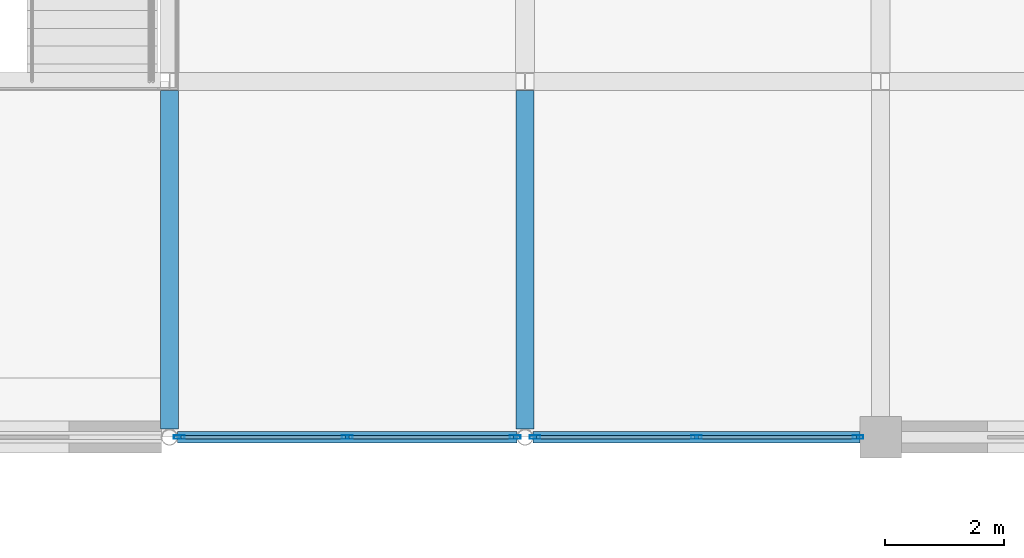
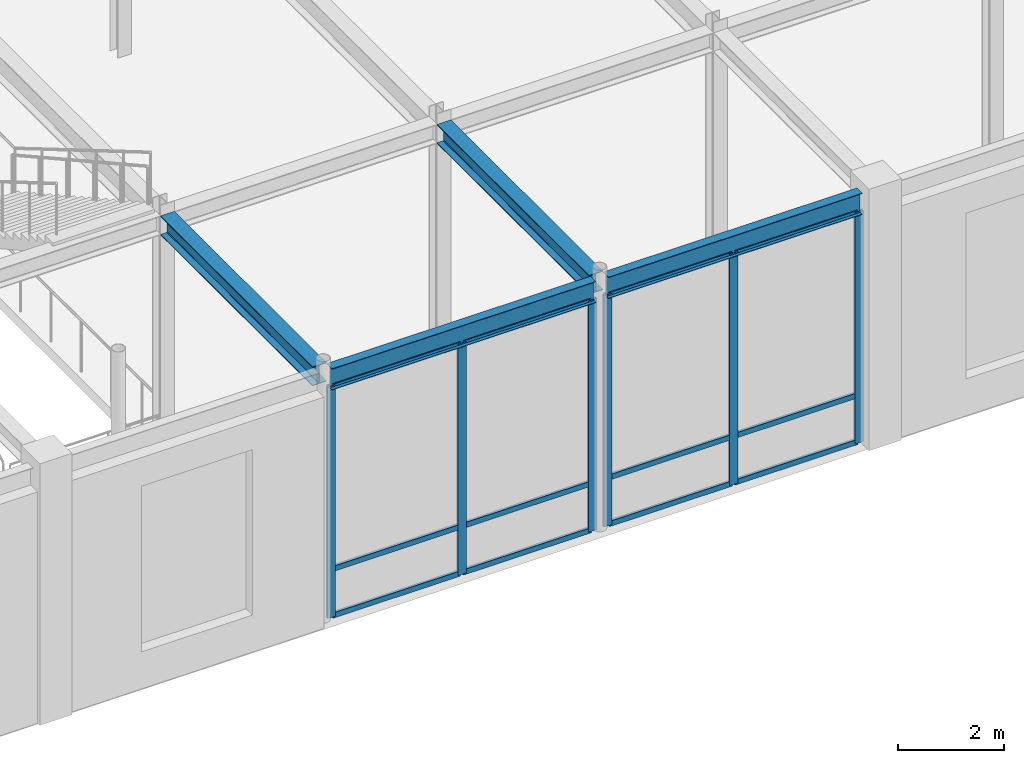
# One storey, part 56 of 108: 18 members, 4 beams, 2 elements without a shape of their own.
"""IFC4 building model written with IfcOpenShell, lengths in metres."""

from ifc_helpers import new_model, si_unit, direction, frame, origin, origin_2d, place, context, subcontext, project, spatial, hollow_rectangle, i_section, extrude, material, layer, layer_set, material_profile, profile_set, type_object, element, aggregate, save


model = new_model("IFC4")

# Units and contexts
model_context = context("Model", 3, precision=1e-05, world=origin(), true_north=direction((0.0, 1.0)))
body_context = subcontext(model_context, "Body", "Model", "MODEL_VIEW")
ifc_project = project(units=[si_unit("LENGTHUNIT", "METRE"), si_unit("AREAUNIT", "SQUARE_METRE"), si_unit("VOLUMEUNIT", "CUBIC_METRE"), si_unit("PLANEANGLEUNIT", "RADIAN"), si_unit("MASSUNIT", "GRAM", prefix="KILO")], contexts=[model_context])

# Site, building, storey
site_placement = place(None, origin())
site = spatial("IfcSite", under=ifc_project, at=site_placement, CompositionType="ELEMENT")
building_placement = place(site_placement, origin())
building = spatial("IfcBuilding", under=site, at=building_placement, Name="Zlatovratsky Civic Hall", CompositionType="ELEMENT")
storey_placement = place(building_placement, frame((0.0, 0.0, 6.0)))
storey = spatial("IfcBuildingStorey", under=building, at=storey_placement, Name="L02", CompositionType="ELEMENT", Elevation=6.0)

# Beams
ifc_material_1 = material(Name="Steel S355", Category="steel")
ifc_material_profile_1 = material_profile(ifc_material_1, i_section(OverallWidth=0.198974609375, OverallDepth=0.491943359375, WebThickness=0.0087890625, FlangeThickness=0.011962890625, FilletRadius=0.01611328125, at=origin_2d()), Name="50B1")
ifc_profile_set_1 = profile_set([ifc_material_profile_1], Name="Steel S355")
beam_type_1 = type_object("IfcBeamType", Name="Beam_Spandrel_50B1", PredefinedType="SPANDREL", material=ifc_profile_set_1)
beam_1_placement = place(storey_placement, frame((96.136474609375, 12.0, 5.513916015625), z_axis=(1.0, 0.0, 0.0), x_axis=(0.0, 1.0, 0.0)))
element("IfcBeam", 1, at=beam_1_placement, inside=storey, type_object=beam_type_1, Name="BM-1752", PredefinedType="SPANDREL", context=body_context, shape_type="SweptSolid", body=[
    extrude(i_section(OverallWidth=0.198974609375, OverallDepth=0.491943359375, WebThickness=0.0087890625, FlangeThickness=0.011962890625, FilletRadius=0.01611328125, at=origin_2d()), origin(), (0.0, 0.0, 1.0), 5.72705078125),
])
beam_2_placement = place(storey_placement, frame((102.136474609375, 12.0, 5.513916015625), z_axis=(1.0, 0.0, 0.0), x_axis=(0.0, 1.0, 0.0)))
element("IfcBeam", 2, at=beam_2_placement, inside=storey, type_object=beam_type_1, Name="BM-1753", PredefinedType="SPANDREL", context=body_context, shape_type="SweptSolid", body=[
    extrude(i_section(OverallWidth=0.198974609375, OverallDepth=0.491943359375, WebThickness=0.0087890625, FlangeThickness=0.011962890625, FilletRadius=0.01611328125, at=origin_2d()), origin(), (0.0, 0.0, 1.0), 5.513427734375),
])
ifc_material_profile_2 = material_profile(ifc_material_1, i_section(OverallWidth=0.300048828125, OverallDepth=0.43994140625, WebThickness=0.010986328125, FlangeThickness=0.01806640625, FilletRadius=0.02197265625, at=origin_2d()), Name="45Sh1")
ifc_profile_set_2 = profile_set([ifc_material_profile_2], Name="Steel S355")
beam_type_2 = type_object("IfcBeamType", Name="Beam_TowerLow_45Sh1", PredefinedType="BEAM", material=ifc_profile_set_2)
for number, where, z_axis, x_axis, name in (
    (3, (96.0, 12.136474609375, 5.5400390625), (0.0, 1.0, 0.0), (-1.0, 0.0, 0.0), "BM-2238"),
    (4, (102.0, 12.136474609375, 5.5400390625), (0.0, 1.0, 0.0), (-1.0, 0.0, 0.0), "BM-2250"),
):
    element("IfcBeam", number, at=place(storey_placement, frame(where, z_axis=z_axis, x_axis=x_axis)), inside=storey, type_object=beam_type_2, Name=name, PredefinedType="BEAM", context=body_context, shape_type="SweptSolid", body=[
        extrude(i_section(OverallWidth=0.300048828125, OverallDepth=0.43994140625, WebThickness=0.010986328125, FlangeThickness=0.01806640625, FilletRadius=0.02197265625, at=origin_2d()), origin(), (0.0, 0.0, 1.0), 5.713623046875),
    ])

# Curtain wall, members
ifc_material_2 = material(Name="Anodised bronze aluminium", Category="aluminium")
ifc_layer_1 = layer(ifc_material_2, 0.159912109375)
ifc_layer_set_1 = layer_set([ifc_layer_1], Name="Anodised bronze aluminium")
curtain_wall_type_1 = type_object("IfcCurtainWallType", Name="CurtainWall_Bronze_5730x5310_03", PredefinedType="NOTDEFINED", material=ifc_layer_set_1)
curtain_wall_1_placement = place(storey_placement, origin())
curtain_wall_1 = element("IfcCurtainWall", 5, at=curtain_wall_1_placement, inside=storey, type_object=curtain_wall_type_1, Name="CW-007", PredefinedType="NOTDEFINED")
ifc_material_profile_3 = material_profile(ifc_material_2, hollow_rectangle(XDim=0.06005859375, YDim=0.179931640625, WallThickness=0.00390625, at=origin_2d()), Name="ALU 60x180x4")
ifc_profile_set_3 = profile_set([ifc_material_profile_3], Name="Anodised bronze aluminium")
member_type_1 = type_object("IfcMemberType", Name="CW_Mullion_60x180", PredefinedType="MULLION", material=ifc_profile_set_3)
member_1_placement = place(storey_placement, frame((96.16650390625, 12.0, 0.0), z_axis=(0.0, 0.0, 1.0), x_axis=(0.0, 1.0, 0.0)))
member_1 = element("IfcMember", 6, at=member_1_placement, type_object=member_type_1, Name="CW-03 mullion 1", PredefinedType="MULLION", context=body_context, shape_type="SweptSolid", body=[
    extrude(hollow_rectangle(XDim=0.06005859375, YDim=0.179931640625, WallThickness=0.00390625, at=origin_2d()), origin(), (0.0, 0.0, 1.0), 5.31005859375),
])
member_2_placement = place(storey_placement, frame((99.0, 12.0, 0.0), z_axis=(0.0, 0.0, 1.0), x_axis=(0.0, 1.0, 0.0)))
member_2 = element("IfcMember", 7, at=member_2_placement, type_object=member_type_1, Name="CW-03 mullion 2", PredefinedType="MULLION", context=body_context, shape_type="SweptSolid", body=[
    extrude(hollow_rectangle(XDim=0.06005859375, YDim=0.179931640625, WallThickness=0.00390625, at=origin_2d()), origin(), (0.0, 0.0, 1.0), 5.31005859375),
])
member_3_placement = place(storey_placement, frame((101.83349609375, 12.0, 0.0), z_axis=(0.0, 0.0, 1.0), x_axis=(0.0, 1.0, 0.0)))
member_3 = element("IfcMember", 8, at=member_3_placement, type_object=member_type_1, Name="CW-03 mullion 3", PredefinedType="MULLION", context=body_context, shape_type="SweptSolid", body=[
    extrude(hollow_rectangle(XDim=0.06005859375, YDim=0.179931640625, WallThickness=0.00390625, at=origin_2d()), origin(), (0.0, 0.0, 1.0), 5.31005859375),
])

ifc_layer_2 = layer(ifc_material_2, 0.159912109375)
ifc_layer_set_2 = layer_set([ifc_layer_2], Name="Anodised bronze aluminium")
curtain_wall_type_2 = type_object("IfcCurtainWallType", Name="CurtainWall_Bronze_5510x5310_01", PredefinedType="NOTDEFINED", material=ifc_layer_set_2)
curtain_wall_2_placement = place(storey_placement, origin())
curtain_wall_2 = element("IfcCurtainWall", 9, at=curtain_wall_2_placement, inside=storey, type_object=curtain_wall_type_2, Name="CW-008", PredefinedType="NOTDEFINED")
member_4_placement = place(storey_placement, frame((102.16650390625, 12.0, 0.0), z_axis=(0.0, 0.0, 1.0), x_axis=(0.0, 1.0, 0.0)))
member_4 = element("IfcMember", 10, at=member_4_placement, type_object=member_type_1, Name="CW-01 mullion 1", PredefinedType="MULLION", context=body_context, shape_type="SweptSolid", body=[
    extrude(hollow_rectangle(XDim=0.06005859375, YDim=0.179931640625, WallThickness=0.00390625, at=origin_2d()), origin(), (0.0, 0.0, 1.0), 5.31005859375),
])
member_5_placement = place(storey_placement, frame((104.893310546875, 12.0, 0.0), z_axis=(0.0, 0.0, 1.0), x_axis=(0.0, 1.0, 0.0)))
member_5 = element("IfcMember", 11, at=member_5_placement, type_object=member_type_1, Name="CW-01 mullion 2", PredefinedType="MULLION", context=body_context, shape_type="SweptSolid", body=[
    extrude(hollow_rectangle(XDim=0.06005859375, YDim=0.179931640625, WallThickness=0.00390625, at=origin_2d()), origin(), (0.0, 0.0, 1.0), 5.31005859375),
])
member_6_placement = place(storey_placement, frame((107.6201171875, 12.0, 0.0), z_axis=(0.0, 0.0, 1.0), x_axis=(0.0, 1.0, 0.0)))
member_6 = element("IfcMember", 12, at=member_6_placement, type_object=member_type_1, Name="CW-01 mullion 3", PredefinedType="MULLION", context=body_context, shape_type="SweptSolid", body=[
    extrude(hollow_rectangle(XDim=0.06005859375, YDim=0.179931640625, WallThickness=0.00390625, at=origin_2d()), origin(), (0.0, 0.0, 1.0), 5.31005859375),
])

# Member
ifc_material_profile_4 = material_profile(ifc_material_2, hollow_rectangle(XDim=0.06005859375, YDim=0.1201171875, WallThickness=0.00390625, at=origin_2d()), Name="ALU 60x120x4")
ifc_profile_set_4 = profile_set([ifc_material_profile_4], Name="Anodised bronze aluminium")
member_type_2 = type_object("IfcMemberType", Name="CW_Transom_60x120", PredefinedType="USERDEFINED", material=ifc_profile_set_4)
member_7_placement = place(storey_placement, frame((96.196533203125, 12.0, 0.030029296875), z_axis=(1.0, 0.0, 0.0), x_axis=(0.0, 1.0, 0.0)))
member_7 = element("IfcMember", 13, at=member_7_placement, type_object=member_type_2, Name="CW-03 transom 1.1", ObjectType="TRANSOM", PredefinedType="USERDEFINED", context=body_context, shape_type="SweptSolid", body=[
    extrude(hollow_rectangle(XDim=0.06005859375, YDim=0.1201171875, WallThickness=0.00390625, at=origin_2d()), origin(), (0.0, 0.0, 1.0), 2.7734375),
])

member_8_placement = place(storey_placement, frame((96.196533203125, 12.0, 1.10009765625), z_axis=(1.0, 0.0, 0.0), x_axis=(0.0, 1.0, 0.0)))
member_8 = element("IfcMember", 14, at=member_8_placement, type_object=member_type_2, Name="CW-03 transom 1.2", ObjectType="TRANSOM", PredefinedType="USERDEFINED", context=body_context, shape_type="SweptSolid", body=[
    extrude(hollow_rectangle(XDim=0.06005859375, YDim=0.1201171875, WallThickness=0.00390625, at=origin_2d()), origin(), (0.0, 0.0, 1.0), 2.7734375),
])

member_9_placement = place(storey_placement, frame((96.196533203125, 12.0, 5.280029296875), z_axis=(1.0, 0.0, 0.0), x_axis=(0.0, 1.0, 0.0)))
member_9 = element("IfcMember", 15, at=member_9_placement, type_object=member_type_2, Name="CW-03 transom 1.3", ObjectType="TRANSOM", PredefinedType="USERDEFINED", context=body_context, shape_type="SweptSolid", body=[
    extrude(hollow_rectangle(XDim=0.06005859375, YDim=0.1201171875, WallThickness=0.00390625, at=origin_2d()), origin(), (0.0, 0.0, 1.0), 2.7734375),
])

member_10_placement = place(storey_placement, frame((99.030029296875, 12.0, 0.030029296875), z_axis=(1.0, 0.0, 0.0), x_axis=(0.0, 1.0, 0.0)))
member_10 = element("IfcMember", 16, at=member_10_placement, type_object=member_type_2, Name="CW-03 transom 2.1", ObjectType="TRANSOM", PredefinedType="USERDEFINED", context=body_context, shape_type="SweptSolid", body=[
    extrude(hollow_rectangle(XDim=0.06005859375, YDim=0.1201171875, WallThickness=0.00390625, at=origin_2d()), origin(), (0.0, 0.0, 1.0), 2.7734375),
])

member_11_placement = place(storey_placement, frame((99.030029296875, 12.0, 1.10009765625), z_axis=(1.0, 0.0, 0.0), x_axis=(0.0, 1.0, 0.0)))
member_11 = element("IfcMember", 17, at=member_11_placement, type_object=member_type_2, Name="CW-03 transom 2.2", ObjectType="TRANSOM", PredefinedType="USERDEFINED", context=body_context, shape_type="SweptSolid", body=[
    extrude(hollow_rectangle(XDim=0.06005859375, YDim=0.1201171875, WallThickness=0.00390625, at=origin_2d()), origin(), (0.0, 0.0, 1.0), 2.7734375),
])

member_12_placement = place(storey_placement, frame((99.030029296875, 12.0, 5.280029296875), z_axis=(1.0, 0.0, 0.0), x_axis=(0.0, 1.0, 0.0)))
member_12 = element("IfcMember", 18, at=member_12_placement, type_object=member_type_2, Name="CW-03 transom 2.3", ObjectType="TRANSOM", PredefinedType="USERDEFINED", context=body_context, shape_type="SweptSolid", body=[
    extrude(hollow_rectangle(XDim=0.06005859375, YDim=0.1201171875, WallThickness=0.00390625, at=origin_2d()), origin(), (0.0, 0.0, 1.0), 2.7734375),
])

aggregate(curtain_wall_1, [member_1, member_2, member_3, member_7, member_8, member_9, member_10, member_11, member_12])

member_13_placement = place(storey_placement, frame((102.196533203125, 12.0, 0.030029296875), z_axis=(1.0, 0.0, 0.0), x_axis=(0.0, 1.0, 0.0)))
member_13 = element("IfcMember", 19, at=member_13_placement, type_object=member_type_2, Name="CW-01 transom 1.1", ObjectType="TRANSOM", PredefinedType="USERDEFINED", context=body_context, shape_type="SweptSolid", body=[
    extrude(hollow_rectangle(XDim=0.06005859375, YDim=0.1201171875, WallThickness=0.00390625, at=origin_2d()), origin(), (0.0, 0.0, 1.0), 2.666748046875),
])

member_14_placement = place(storey_placement, frame((102.196533203125, 12.0, 1.10009765625), z_axis=(1.0, 0.0, 0.0), x_axis=(0.0, 1.0, 0.0)))
member_14 = element("IfcMember", 20, at=member_14_placement, type_object=member_type_2, Name="CW-01 transom 1.2", ObjectType="TRANSOM", PredefinedType="USERDEFINED", context=body_context, shape_type="SweptSolid", body=[
    extrude(hollow_rectangle(XDim=0.06005859375, YDim=0.1201171875, WallThickness=0.00390625, at=origin_2d()), origin(), (0.0, 0.0, 1.0), 2.666748046875),
])

member_15_placement = place(storey_placement, frame((102.196533203125, 12.0, 5.280029296875), z_axis=(1.0, 0.0, 0.0), x_axis=(0.0, 1.0, 0.0)))
member_15 = element("IfcMember", 21, at=member_15_placement, type_object=member_type_2, Name="CW-01 transom 1.3", ObjectType="TRANSOM", PredefinedType="USERDEFINED", context=body_context, shape_type="SweptSolid", body=[
    extrude(hollow_rectangle(XDim=0.06005859375, YDim=0.1201171875, WallThickness=0.00390625, at=origin_2d()), origin(), (0.0, 0.0, 1.0), 2.666748046875),
])

member_16_placement = place(storey_placement, frame((104.92333984375, 12.0, 0.030029296875), z_axis=(1.0, 0.0, 0.0), x_axis=(0.0, 1.0, 0.0)))
member_16 = element("IfcMember", 22, at=member_16_placement, type_object=member_type_2, Name="CW-01 transom 2.1", ObjectType="TRANSOM", PredefinedType="USERDEFINED", context=body_context, shape_type="SweptSolid", body=[
    extrude(hollow_rectangle(XDim=0.06005859375, YDim=0.1201171875, WallThickness=0.00390625, at=origin_2d()), origin(), (0.0, 0.0, 1.0), 2.666748046875),
])

member_17_placement = place(storey_placement, frame((104.92333984375, 12.0, 1.10009765625), z_axis=(1.0, 0.0, 0.0), x_axis=(0.0, 1.0, 0.0)))
member_17 = element("IfcMember", 23, at=member_17_placement, type_object=member_type_2, Name="CW-01 transom 2.2", ObjectType="TRANSOM", PredefinedType="USERDEFINED", context=body_context, shape_type="SweptSolid", body=[
    extrude(hollow_rectangle(XDim=0.06005859375, YDim=0.1201171875, WallThickness=0.00390625, at=origin_2d()), origin(), (0.0, 0.0, 1.0), 2.666748046875),
])

member_18_placement = place(storey_placement, frame((104.92333984375, 12.0, 5.280029296875), z_axis=(1.0, 0.0, 0.0), x_axis=(0.0, 1.0, 0.0)))
member_18 = element("IfcMember", 24, at=member_18_placement, type_object=member_type_2, Name="CW-01 transom 2.3", ObjectType="TRANSOM", PredefinedType="USERDEFINED", context=body_context, shape_type="SweptSolid", body=[
    extrude(hollow_rectangle(XDim=0.06005859375, YDim=0.1201171875, WallThickness=0.00390625, at=origin_2d()), origin(), (0.0, 0.0, 1.0), 2.666748046875),
])

aggregate(curtain_wall_2, [member_4, member_5, member_6, member_13, member_14, member_15, member_16, member_17, member_18])

save(model, "model.ifc")
